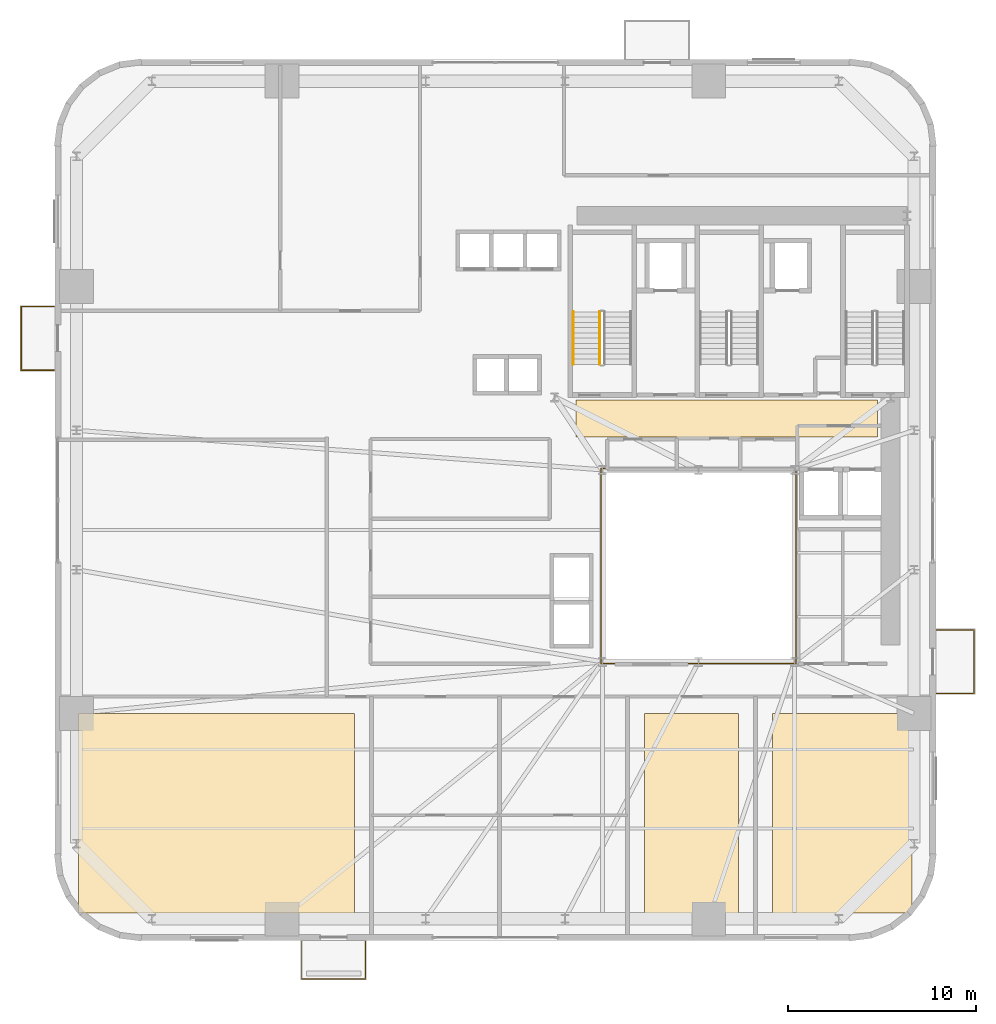
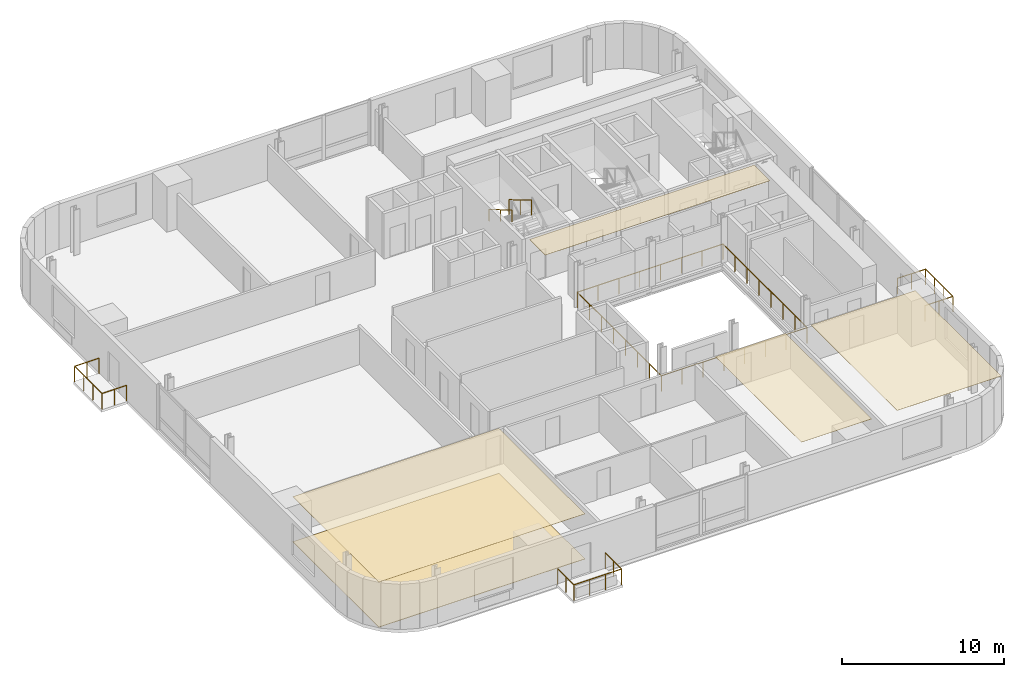
# One storey, part 10 of 11: 6 railings, 5 coverings.
"""IFC4 building model written with IfcOpenShell, lengths in metres."""

from ifc_helpers import new_model, si_unit, direction, frame, origin, origin_2d, place, context, subcontext, project, spatial, polyline, rectangle, outline, extrude, source, transform, mapped, material, layer, layer_set, type_object, element, save


model = new_model("IFC4")

# Units and contexts
model_context = context("Model", 3, precision=1e-05, world=origin(), true_north=direction((0.0, 1.0)))
body_context = subcontext(model_context, "Body", "Model", "MODEL_VIEW")
ifc_project = project(units=[si_unit("LENGTHUNIT", "METRE"), si_unit("AREAUNIT", "SQUARE_METRE"), si_unit("VOLUMEUNIT", "CUBIC_METRE"), si_unit("PLANEANGLEUNIT", "RADIAN"), si_unit("MASSUNIT", "GRAM", prefix="KILO")], contexts=[model_context])

# Site, building, storey
site_placement = place(None, origin())
site = spatial("IfcSite", under=ifc_project, at=site_placement, CompositionType="ELEMENT")
building_placement = place(site_placement, origin())
building = spatial("IfcBuilding", under=site, at=building_placement, Name="Vardaveli Station Tower", CompositionType="ELEMENT")
storey_placement = place(building_placement, frame((0.0, 0.0, 78.699951171875)))
storey = spatial("IfcBuildingStorey", under=building, at=storey_placement, Name="L20", CompositionType="ELEMENT", Elevation=78.699951171875)

# Coverings
ifc_material_1 = material(Name="Perforated acoustic mineral ceiling")
ifc_layer_1 = layer(ifc_material_1, 0.02001953125, Name="Perforated acoustic mineral ceiling")
ifc_layer_set_1 = layer_set([ifc_layer_1], Name="Perforated acoustic mineral ceiling")
covering_type_1 = type_object("IfcCoveringType", Name="COV-CEIL-AC20", PredefinedType="CEILING", material=ifc_layer_set_1)
covering_1_placement = place(storey_placement, frame((0.0, 0.0, 3.39501953125)))
element("IfcCovering", 1, at=covering_1_placement, inside=storey, type_object=covering_type_1, Name="CEIL-L20-1", PredefinedType="CEILING", context=body_context, shape_type="SweptSolid", body=[
    extrude(outline(polyline([(3.35009765625, 3.25), (18.02001953125, 3.25), (18.02001953125, 13.860107421875), (3.35009765625, 13.860107421875), (3.35009765625, 3.25)])), origin(), (0.0, 0.0, 1.0), 0.02001953125),
])
covering_2_placement = place(storey_placement, frame((0.0, 0.0, 3.39501953125)))
element("IfcCovering", 2, at=covering_2_placement, inside=storey, type_object=covering_type_1, Name="CEIL-L20-2", PredefinedType="CEILING", context=body_context, shape_type="SweptSolid", body=[
    extrude(outline(polyline([(33.4267578125, 3.25), (38.429931640625, 3.25), (38.429931640625, 13.860107421875), (33.4267578125, 13.860107421875), (33.4267578125, 3.25)])), origin(), (0.0, 0.0, 1.0), 0.02001953125),
])
covering_3_placement = place(storey_placement, frame((0.0, 0.0, 3.39501953125)))
element("IfcCovering", 3, at=covering_3_placement, inside=storey, type_object=covering_type_1, Name="CEIL-L20-3", PredefinedType="CEILING", context=body_context, shape_type="SweptSolid", body=[
    extrude(outline(polyline([(40.22998046875, 3.25), (47.64990234375, 3.25), (47.64990234375, 13.860107421875), (40.22998046875, 13.860107421875), (40.22998046875, 3.25)])), origin(), (0.0, 0.0, 1.0), 0.02001953125),
])
covering_4_placement = place(storey_placement, frame((0.0, 0.0, 3.39501953125)))
element("IfcCovering", 4, at=covering_4_placement, inside=storey, type_object=covering_type_1, Name="CEIL-L20-4", PredefinedType="CEILING", context=body_context, shape_type="SweptSolid", body=[
    extrude(outline(polyline([(29.800048828125, 28.550048828125), (45.800048828125, 28.550048828125), (45.800048828125, 30.5), (29.800048828125, 30.5), (29.800048828125, 28.550048828125)])), origin(), (0.0, 0.0, 1.0), 0.02001953125),
])
ifc_material_2 = material(Name="Honed Caucasian basalt and travertine flooring", Category="masonry")
ifc_layer_2 = layer(ifc_material_2, 0.030029296875, Name="Honed Caucasian basalt and travertine flooring")
ifc_layer_set_2 = layer_set([ifc_layer_2], Name="Honed Caucasian basalt and travertine flooring")
covering_type_2 = type_object("IfcCoveringType", Name="COV-FLOOR-ST30", PredefinedType="FLOORING", material=ifc_layer_set_2)
covering_5_placement = place(storey_placement, origin())
element("IfcCovering", 5, at=covering_5_placement, inside=storey, type_object=covering_type_2, Name="FLR-L20-1", PredefinedType="FLOORING", context=body_context, shape_type="SweptSolid", body=[
    extrude(outline(polyline([(3.35009765625, 3.25), (18.02001953125, 3.25), (18.02001953125, 13.860107421875), (3.35009765625, 13.860107421875), (3.35009765625, 3.25)])), origin(), (0.0, 0.0, 1.0), 0.030029296875),
])

# Railings
ifc_material_3 = material(Name="Laminated glass and stainless steel balustrade", Category="steel")
railing_type_1 = type_object("IfcRailingType", Name="RL-BAL-1200", PredefinedType="BALUSTRADE", material=ifc_material_3)
shared_shape_1 = source(origin(), body_context, "Body", "SweptSolid", [
    extrude(rectangle(XDim=0.048095703125, YDim=0.048095703125, at=origin_2d()), frame((0.0, 0.0, 1.17578125), z_axis=(0.0, -1.0, 0.0), x_axis=(1.0, 0.0, 0.0)), (0.0, 0.0, 1.0), 2.0),
    extrude(rectangle(XDim=0.048095703125, YDim=0.048095703125, at=origin_2d()), frame((0.0, -2.0, 1.17578125), z_axis=(1.0, 0.0, 0.0), x_axis=(0.0, 1.0, 0.0)), (0.0, 0.0, 1.0), 3.3798828125),
    extrude(rectangle(XDim=0.048095703125, YDim=0.048095703125, at=origin_2d()), frame((3.3798828125, -2.0, 1.17578125), z_axis=(0.0, 1.0, 0.0), x_axis=(-1.0, 0.0, 0.0)), (0.0, 0.0, 1.0), 2.0),
    extrude(rectangle(XDim=0.0419921875, YDim=0.0419921875, at=origin_2d()), origin(), (0.0, 0.0, 1.0), 1.15185546875),
    extrude(rectangle(XDim=0.0419921875, YDim=0.0419921875, at=origin_2d()), frame((0.0, -1.0, 0.0)), (0.0, 0.0, 1.0), 1.15185546875),
    extrude(rectangle(XDim=0.0419921875, YDim=0.0419921875, at=origin_2d()), frame((0.0, -2.0, 0.0)), (0.0, 0.0, 1.0), 1.15185546875),
    extrude(rectangle(XDim=0.0419921875, YDim=0.0419921875, at=origin_2d()), frame((1.126708984375, -2.0, 0.0)), (0.0, 0.0, 1.0), 1.15185546875),
    extrude(rectangle(XDim=0.0419921875, YDim=0.0419921875, at=origin_2d()), frame((2.253173828125, -2.0, 0.0)), (0.0, 0.0, 1.0), 1.15185546875),
    extrude(rectangle(XDim=0.0419921875, YDim=0.0419921875, at=origin_2d()), frame((3.3798828125, -2.0, 0.0)), (0.0, 0.0, 1.0), 1.15185546875),
    extrude(rectangle(XDim=0.0419921875, YDim=0.0419921875, at=origin_2d()), frame((3.3798828125, -1.0, 0.0)), (0.0, 0.0, 1.0), 1.15185546875),
    extrude(rectangle(XDim=0.0419921875, YDim=0.0419921875, at=origin_2d()), frame((3.3798828125, 0.0, 0.0)), (0.0, 0.0, 1.0), 1.15185546875),
])
railing_1_placement = place(storey_placement, frame((15.220458984375, 1.760009765625, 0.0)))
element("IfcRailing", 6, at=railing_1_placement, inside=storey, type_object=railing_type_1, Name="RL-LOG-L20-01", PredefinedType="BALUSTRADE", context=body_context, shape_type="MappedRepresentation", body=[
    mapped(shared_shape_1, transform((0.0, 0.0, 0.0), scale=1.0)),
])
shared_shape_2 = source(origin(), body_context, "Body", "SweptSolid", [
    extrude(rectangle(XDim=0.048095703125, YDim=0.048095703125, at=origin_2d()), frame((0.0, 0.0, 1.17578125), z_axis=(-1.0, 0.0, 0.0), x_axis=(0.0, -1.0, 0.0)), (0.0, 0.0, 1.0), 1.75),
    extrude(rectangle(XDim=0.048095703125, YDim=0.048095703125, at=origin_2d()), frame((-1.75, 0.0, 1.17578125), z_axis=(0.0, 1.0, 0.0), x_axis=(-1.0, 0.0, 0.0)), (0.0, 0.0, 1.0), 3.3798828125),
    extrude(rectangle(XDim=0.048095703125, YDim=0.048095703125, at=origin_2d()), frame((-1.75, 3.3798828125, 1.17578125), z_axis=(1.0, 0.0, 0.0), x_axis=(0.0, 1.0, 0.0)), (0.0, 0.0, 1.0), 1.75),
    extrude(rectangle(XDim=0.0419921875, YDim=0.0419921875, at=origin_2d()), origin(), (0.0, 0.0, 1.0), 1.15185546875),
    extrude(rectangle(XDim=0.0419921875, YDim=0.0419921875, at=origin_2d()), frame((-0.875, 0.0, 0.0)), (0.0, 0.0, 1.0), 1.15185546875),
    extrude(rectangle(XDim=0.0419921875, YDim=0.0419921875, at=origin_2d()), frame((-1.75, 0.0, 0.0)), (0.0, 0.0, 1.0), 1.15185546875),
    extrude(rectangle(XDim=0.0419921875, YDim=0.0419921875, at=origin_2d()), frame((-1.75, 1.126708984375, 0.0)), (0.0, 0.0, 1.0), 1.15185546875),
    extrude(rectangle(XDim=0.0419921875, YDim=0.0419921875, at=origin_2d()), frame((-1.75, 2.253173828125, 0.0)), (0.0, 0.0, 1.0), 1.15185546875),
    extrude(rectangle(XDim=0.0419921875, YDim=0.0419921875, at=origin_2d()), frame((-1.75, 3.3798828125, 0.0)), (0.0, 0.0, 1.0), 1.15185546875),
    extrude(rectangle(XDim=0.0419921875, YDim=0.0419921875, at=origin_2d()), frame((-0.875, 3.3798828125, 0.0)), (0.0, 0.0, 1.0), 1.15185546875),
    extrude(rectangle(XDim=0.0419921875, YDim=0.0419921875, at=origin_2d()), frame((0.0, 3.3798828125, 0.0)), (0.0, 0.0, 1.0), 1.15185546875),
])
railing_2_placement = place(storey_placement, frame((2.06005859375, 32.099609375, 0.0)))
element("IfcRailing", 7, at=railing_2_placement, inside=storey, type_object=railing_type_1, Name="RL-LOG-L20-03", PredefinedType="BALUSTRADE", context=body_context, shape_type="MappedRepresentation", body=[
    mapped(shared_shape_2, transform((0.0, 0.0, 0.0), scale=1.0)),
])
shared_shape_3 = source(origin(), body_context, "Body", "SweptSolid", [
    extrude(rectangle(XDim=0.048095703125, YDim=0.048095703125, at=origin_2d()), frame((0.0, 0.0, 1.17578125), z_axis=(1.0, 0.0, 0.0), x_axis=(0.0, 1.0, 0.0)), (0.0, 0.0, 1.0), 2.0),
    extrude(rectangle(XDim=0.048095703125, YDim=0.048095703125, at=origin_2d()), frame((2.0, 0.0, 1.17578125), z_axis=(0.0, 1.0, 0.0), x_axis=(-1.0, 0.0, 0.0)), (0.0, 0.0, 1.0), 3.3798828125),
    extrude(rectangle(XDim=0.048095703125, YDim=0.048095703125, at=origin_2d()), frame((2.0, 3.3798828125, 1.17578125), z_axis=(-1.0, 0.0, 0.0), x_axis=(0.0, -1.0, 0.0)), (0.0, 0.0, 1.0), 2.0),
    extrude(rectangle(XDim=0.0419921875, YDim=0.0419921875, at=origin_2d()), origin(), (0.0, 0.0, 1.0), 1.15185546875),
    extrude(rectangle(XDim=0.0419921875, YDim=0.0419921875, at=origin_2d()), frame((1.0, 0.0, 0.0)), (0.0, 0.0, 1.0), 1.15185546875),
    extrude(rectangle(XDim=0.0419921875, YDim=0.0419921875, at=origin_2d()), frame((2.0, 0.0, 0.0)), (0.0, 0.0, 1.0), 1.15185546875),
    extrude(rectangle(XDim=0.0419921875, YDim=0.0419921875, at=origin_2d()), frame((2.0, 1.126708984375, 0.0)), (0.0, 0.0, 1.0), 1.15185546875),
    extrude(rectangle(XDim=0.0419921875, YDim=0.0419921875, at=origin_2d()), frame((2.0, 2.253173828125, 0.0)), (0.0, 0.0, 1.0), 1.15185546875),
    extrude(rectangle(XDim=0.0419921875, YDim=0.0419921875, at=origin_2d()), frame((2.0, 3.3798828125, 0.0)), (0.0, 0.0, 1.0), 1.15185546875),
    extrude(rectangle(XDim=0.0419921875, YDim=0.0419921875, at=origin_2d()), frame((1.0, 3.3798828125, 0.0)), (0.0, 0.0, 1.0), 1.15185546875),
    extrude(rectangle(XDim=0.0419921875, YDim=0.0419921875, at=origin_2d()), frame((0.0, 3.3798828125, 0.0)), (0.0, 0.0, 1.0), 1.15185546875),
])
railing_3_placement = place(storey_placement, frame((48.93994140625, 14.92041015625, 0.0)))
element("IfcRailing", 8, at=railing_3_placement, inside=storey, type_object=railing_type_1, Name="RL-LOG-L20-04", PredefinedType="BALUSTRADE", context=body_context, shape_type="MappedRepresentation", body=[
    mapped(shared_shape_3, transform((0.0, 0.0, 0.0), scale=1.0)),
])
ifc_material_4 = material(Name="Brushed AISI 316 stainless steel", Category="steel")
railing_type_2 = type_object("IfcRailingType", Name="RL-GUARD-1150", PredefinedType="GUARDRAIL", material=ifc_material_4)
shared_shape_4 = source(origin(), body_context, "Body", "SweptSolid", [
    extrude(rectangle(XDim=0.048095703125, YDim=0.048095703125, at=origin_2d()), frame((0.0, 0.0, 1.1259765625), z_axis=(0.0, -0.860306154799, 0.50977771628), x_axis=(1.0, 0.0, 0.0)), (0.0, 0.0, 1.0), 3.254638671875),
    extrude(rectangle(XDim=0.0419921875, YDim=0.0419921875, at=origin_2d()), origin(), (0.0, 0.0, 1.0), 1.101806640625),
    extrude(rectangle(XDim=0.0419921875, YDim=0.0419921875, at=origin_2d()), frame((0.0, -1.39990234375, 0.82958984375)), (0.0, 0.0, 1.0), 1.101806640625),
    extrude(rectangle(XDim=0.0419921875, YDim=0.0419921875, at=origin_2d()), frame((0.0, -2.800048828125, 1.6591796875)), (0.0, 0.0, 1.0), 1.101806640625),
])
railing_4_placement = place(storey_placement, frame((31.050048828125, 35.199951171875, 1.990966796875)))
element("IfcRailing", 9, at=railing_4_placement, inside=storey, type_object=railing_type_2, Name="L20 ST-1 stair guard 3", PredefinedType="GUARDRAIL", context=body_context, shape_type="MappedRepresentation", body=[
    mapped(shared_shape_4, transform((0.0, 0.0, 0.0), scale=1.0)),
])
railing_type_3 = type_object("IfcRailingType", Name="RL-HAND-900", PredefinedType="HANDRAIL", material=ifc_material_4)
shared_shape_5 = source(origin(), body_context, "Body", "SweptSolid", [
    extrude(rectangle(XDim=0.048095703125, YDim=0.048095703125, at=origin_2d()), frame((0.0, 0.0, 0.8759765625), z_axis=(0.0, -0.860306154799, 0.50977771628), x_axis=(1.0, 0.0, 0.0)), (0.0, 0.0, 1.0), 3.254638671875),
    extrude(rectangle(XDim=0.0419921875, YDim=0.0419921875, at=origin_2d()), origin(), (0.0, 0.0, 1.0), 0.851806640625),
    extrude(rectangle(XDim=0.0419921875, YDim=0.0419921875, at=origin_2d()), frame((0.0, -1.39990234375, 0.82958984375)), (0.0, 0.0, 1.0), 0.851806640625),
    extrude(rectangle(XDim=0.0419921875, YDim=0.0419921875, at=origin_2d()), frame((0.0, -2.800048828125, 1.6591796875)), (0.0, 0.0, 1.0), 0.851806640625),
])
railing_5_placement = place(storey_placement, frame((29.64990234375, 35.199951171875, 1.990966796875)))
element("IfcRailing", 10, at=railing_5_placement, inside=storey, type_object=railing_type_3, Name="L20 ST-1 stair handrail 2", PredefinedType="HANDRAIL", context=body_context, shape_type="MappedRepresentation", body=[
    mapped(shared_shape_5, transform((0.0, 0.0, 0.0), scale=1.0)),
])
shared_shape_6 = source(origin(), body_context, "Body", "SweptSolid", [
    extrude(rectangle(XDim=0.048095703125, YDim=0.048095703125, at=origin_2d()), frame((0.0, 0.0, 1.17578125), z_axis=(1.0, 0.0, 0.0), x_axis=(0.0, 1.0, 0.0)), (0.0, 0.0, 1.0), 10.35986328125),
    extrude(rectangle(XDim=0.048095703125, YDim=0.048095703125, at=origin_2d()), frame((10.35986328125, 0.0, 1.17578125), z_axis=(0.0, 1.0, 0.0), x_axis=(-1.0, 0.0, 0.0)), (0.0, 0.0, 1.0), 10.35986328125),
    extrude(rectangle(XDim=0.048095703125, YDim=0.048095703125, at=origin_2d()), frame((10.35986328125, 10.35986328125, 1.17578125), z_axis=(-1.0, 0.0, 0.0), x_axis=(0.0, -1.0, 0.0)), (0.0, 0.0, 1.0), 10.35986328125),
    extrude(rectangle(XDim=0.048095703125, YDim=0.048095703125, at=origin_2d()), frame((0.0, 10.35986328125, 1.17578125), z_axis=(0.0, -1.0, 0.0), x_axis=(1.0, 0.0, 0.0)), (0.0, 0.0, 1.0), 10.35986328125),
    extrude(rectangle(XDim=0.0419921875, YDim=0.0419921875, at=origin_2d()), origin(), (0.0, 0.0, 1.0), 1.15185546875),
    extrude(rectangle(XDim=0.0419921875, YDim=0.0419921875, at=origin_2d()), frame((1.47998046875, 0.0, 0.0)), (0.0, 0.0, 1.0), 1.15185546875),
    extrude(rectangle(XDim=0.0419921875, YDim=0.0419921875, at=origin_2d()), frame((2.9599609375, 0.0, 0.0)), (0.0, 0.0, 1.0), 1.15185546875),
    extrude(rectangle(XDim=0.0419921875, YDim=0.0419921875, at=origin_2d()), frame((4.43994140625, 0.0, 0.0)), (0.0, 0.0, 1.0), 1.15185546875),
    extrude(rectangle(XDim=0.0419921875, YDim=0.0419921875, at=origin_2d()), frame((5.919921875, 0.0, 0.0)), (0.0, 0.0, 1.0), 1.15185546875),
    extrude(rectangle(XDim=0.0419921875, YDim=0.0419921875, at=origin_2d()), frame((7.39990234375, 0.0, 0.0)), (0.0, 0.0, 1.0), 1.15185546875),
    extrude(rectangle(XDim=0.0419921875, YDim=0.0419921875, at=origin_2d()), frame((8.8798828125, 0.0, 0.0)), (0.0, 0.0, 1.0), 1.15185546875),
    extrude(rectangle(XDim=0.0419921875, YDim=0.0419921875, at=origin_2d()), frame((10.35986328125, 0.0, 0.0)), (0.0, 0.0, 1.0), 1.15185546875),
    extrude(rectangle(XDim=0.0419921875, YDim=0.0419921875, at=origin_2d()), frame((10.35986328125, 1.47998046875, 0.0)), (0.0, 0.0, 1.0), 1.15185546875),
    extrude(rectangle(XDim=0.0419921875, YDim=0.0419921875, at=origin_2d()), frame((10.35986328125, 2.9599609375, 0.0)), (0.0, 0.0, 1.0), 1.15185546875),
    extrude(rectangle(XDim=0.0419921875, YDim=0.0419921875, at=origin_2d()), frame((10.35986328125, 4.43994140625, 0.0)), (0.0, 0.0, 1.0), 1.15185546875),
    extrude(rectangle(XDim=0.0419921875, YDim=0.0419921875, at=origin_2d()), frame((10.35986328125, 5.919921875, 0.0)), (0.0, 0.0, 1.0), 1.15185546875),
    extrude(rectangle(XDim=0.0419921875, YDim=0.0419921875, at=origin_2d()), frame((10.35986328125, 7.39990234375, 0.0)), (0.0, 0.0, 1.0), 1.15185546875),
    extrude(rectangle(XDim=0.0419921875, YDim=0.0419921875, at=origin_2d()), frame((10.35986328125, 8.8798828125, 0.0)), (0.0, 0.0, 1.0), 1.15185546875),
    extrude(rectangle(XDim=0.0419921875, YDim=0.0419921875, at=origin_2d()), frame((10.35986328125, 10.35986328125, 0.0)), (0.0, 0.0, 1.0), 1.15185546875),
    extrude(rectangle(XDim=0.0419921875, YDim=0.0419921875, at=origin_2d()), frame((8.8798828125, 10.35986328125, 0.0)), (0.0, 0.0, 1.0), 1.15185546875),
    extrude(rectangle(XDim=0.0419921875, YDim=0.0419921875, at=origin_2d()), frame((7.39990234375, 10.35986328125, 0.0)), (0.0, 0.0, 1.0), 1.15185546875),
    extrude(rectangle(XDim=0.0419921875, YDim=0.0419921875, at=origin_2d()), frame((5.919921875, 10.35986328125, 0.0)), (0.0, 0.0, 1.0), 1.15185546875),
    extrude(rectangle(XDim=0.0419921875, YDim=0.0419921875, at=origin_2d()), frame((4.43994140625, 10.35986328125, 0.0)), (0.0, 0.0, 1.0), 1.15185546875),
    extrude(rectangle(XDim=0.0419921875, YDim=0.0419921875, at=origin_2d()), frame((2.9599609375, 10.35986328125, 0.0)), (0.0, 0.0, 1.0), 1.15185546875),
    extrude(rectangle(XDim=0.0419921875, YDim=0.0419921875, at=origin_2d()), frame((1.47998046875, 10.35986328125, 0.0)), (0.0, 0.0, 1.0), 1.15185546875),
    extrude(rectangle(XDim=0.0419921875, YDim=0.0419921875, at=origin_2d()), frame((0.0, 10.35986328125, 0.0)), (0.0, 0.0, 1.0), 1.15185546875),
    extrude(rectangle(XDim=0.0419921875, YDim=0.0419921875, at=origin_2d()), frame((0.0, 8.8798828125, 0.0)), (0.0, 0.0, 1.0), 1.15185546875),
    extrude(rectangle(XDim=0.0419921875, YDim=0.0419921875, at=origin_2d()), frame((0.0, 7.39990234375, 0.0)), (0.0, 0.0, 1.0), 1.15185546875),
    extrude(rectangle(XDim=0.0419921875, YDim=0.0419921875, at=origin_2d()), frame((0.0, 5.919921875, 0.0)), (0.0, 0.0, 1.0), 1.15185546875),
    extrude(rectangle(XDim=0.0419921875, YDim=0.0419921875, at=origin_2d()), frame((0.0, 4.43994140625, 0.0)), (0.0, 0.0, 1.0), 1.15185546875),
    extrude(rectangle(XDim=0.0419921875, YDim=0.0419921875, at=origin_2d()), frame((0.0, 2.9599609375, 0.0)), (0.0, 0.0, 1.0), 1.15185546875),
    extrude(rectangle(XDim=0.0419921875, YDim=0.0419921875, at=origin_2d()), frame((0.0, 1.47998046875, 0.0)), (0.0, 0.0, 1.0), 1.15185546875),
])
railing_6_placement = place(storey_placement, frame((31.1201171875, 16.52001953125, 0.0)))
element("IfcRailing", 11, at=railing_6_placement, inside=storey, type_object=railing_type_1, Name="RL-ATR-L20", PredefinedType="BALUSTRADE", context=body_context, shape_type="MappedRepresentation", body=[
    mapped(shared_shape_6, transform((0.0, 0.0, 0.0), scale=1.0)),
])

save(model, "model.ifc")
